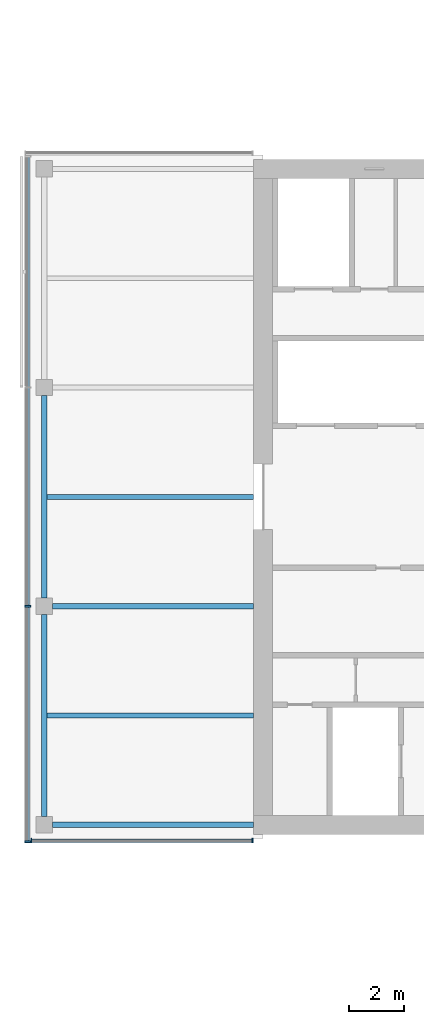
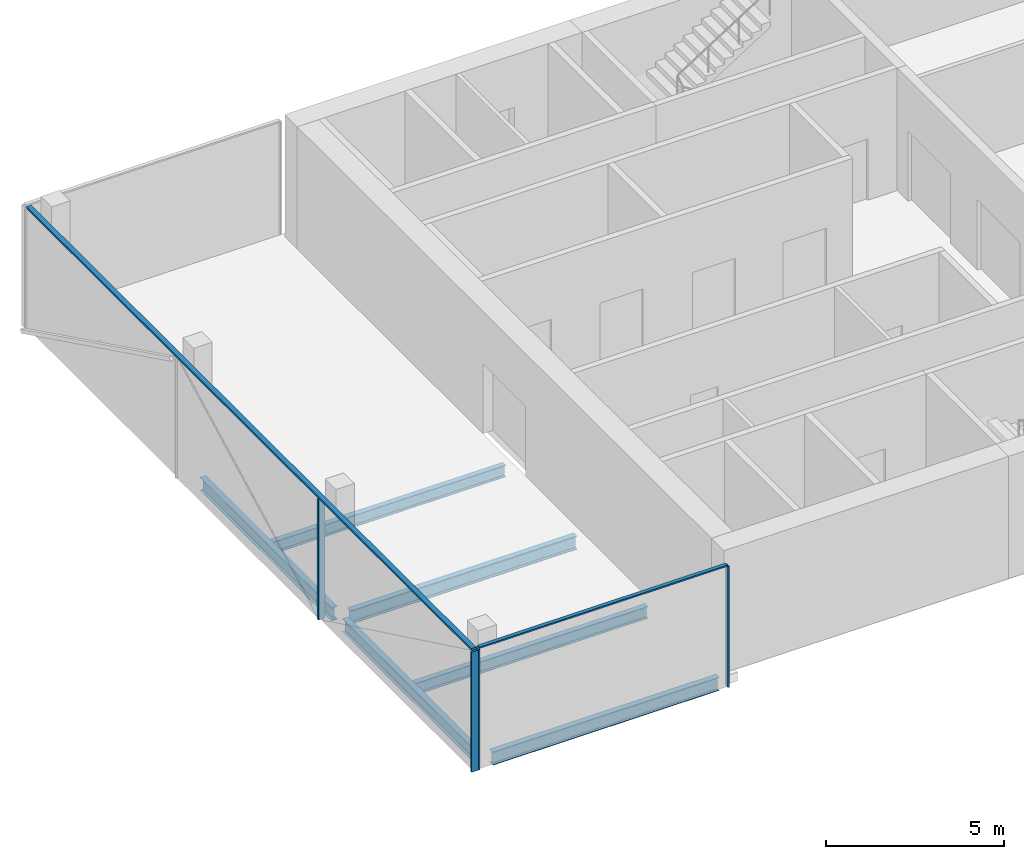
# One storey, part 3 of 22: 6 beams, 6 members, 2 elements without a shape of their own.
"""IFC4 building model written with IfcOpenShell, lengths in metres."""

from ifc_helpers import new_model, si_unit, direction, frame, origin, origin_2d, place, context, subcontext, project, spatial, rectangle, i_section, extrude, material, material_profile, profile_set, type_object, element, aggregate, save


model = new_model("IFC4")

# Units and contexts
model_context = context("Model", 3, precision=1e-05, world=origin(), true_north=direction((0.0, 1.0)))
body_context = subcontext(model_context, "Body", "Model", "MODEL_VIEW")
ifc_project = project(units=[si_unit("LENGTHUNIT", "METRE"), si_unit("AREAUNIT", "SQUARE_METRE"), si_unit("VOLUMEUNIT", "CUBIC_METRE"), si_unit("PLANEANGLEUNIT", "RADIAN"), si_unit("MASSUNIT", "GRAM", prefix="KILO")], contexts=[model_context])

# Site, building, storey
site_placement = place(None, origin())
site = spatial("IfcSite", under=ifc_project, at=site_placement, CompositionType="ELEMENT")
building_placement = place(site_placement, origin())
building = spatial("IfcBuilding", under=site, at=building_placement, Name="Crosswind Convention Tower", CompositionType="ELEMENT")
storey_placement = place(building_placement, frame((0.0, 0.0, 129.5)))
storey = spatial("IfcBuildingStorey", under=building, at=storey_placement, Name="L26", CompositionType="ELEMENT", Elevation=129.5)

# Beams
ifc_material_1 = material(Name="Steel S355", Category="steel")
ifc_material_profile_1 = material_profile(ifc_material_1, i_section(OverallWidth=0.18994140625, OverallDepth=0.45361328125, WebThickness=0.008544921875, FlangeThickness=0.0126953125, FilletRadius=0.01025390625, at=origin_2d()), Name="UB 457x191x67")
ifc_profile_set_1 = profile_set([ifc_material_profile_1], Name="Steel S355")
beam_type_1 = type_object("IfcBeamType", Name="Edge beam UB 457x191x67", PredefinedType="SPANDREL", material=ifc_profile_set_1)
for number, where, z_axis, x_axis, name in (
    (1, (89.0, 88.300048828125, -0.52685546875), (0.0, 1.0, 0.0), (-1.0, 0.0, 0.0), "B16 L26 edge beam 1"),
    (2, (89.0, 96.300048828125, -0.52685546875), (0.0, 1.0, 0.0), (-1.0, 0.0, 0.0), "B16 L26 edge beam 2"),
):
    element("IfcBeam", number, at=place(storey_placement, frame(where, z_axis=z_axis, x_axis=x_axis)), inside=storey, type_object=beam_type_1, Name=name, PredefinedType="SPANDREL", context=body_context, shape_type="SweptSolid", body=[
        extrude(i_section(OverallWidth=0.18994140625, OverallDepth=0.45361328125, WebThickness=0.008544921875, FlangeThickness=0.0126953125, FilletRadius=0.01025390625, at=origin_2d()), origin(), (0.0, 0.0, 1.0), 7.39990234375),
    ])
beam_1_placement = place(storey_placement, frame((89.300048828125, 88.0, -0.52685546875), z_axis=(1.0, 0.0, 0.0), x_axis=(0.0, 1.0, 0.0)))
element("IfcBeam", 3, at=beam_1_placement, inside=storey, type_object=beam_type_1, Name="B16 L26 edge beam 4", PredefinedType="SPANDREL", context=body_context, shape_type="SweptSolid", body=[
    extrude(i_section(OverallWidth=0.18994140625, OverallDepth=0.45361328125, WebThickness=0.008544921875, FlangeThickness=0.0126953125, FilletRadius=0.01025390625, at=origin_2d()), origin(), (0.0, 0.0, 1.0), 7.349853515625),
])
ifc_material_profile_2 = material_profile(ifc_material_1, i_section(OverallWidth=0.19189453125, OverallDepth=0.463623046875, WebThickness=0.010498046875, FlangeThickness=0.017578125, FilletRadius=0.01025390625, at=origin_2d()), Name="UB 457x191x90")
ifc_profile_set_2 = profile_set([ifc_material_profile_2], Name="Steel S355")
beam_type_2 = type_object("IfcBeamType", Name="Girder at core wall UB 457x191x90", PredefinedType="BEAM", material=ifc_profile_set_2)
beam_2_placement = place(storey_placement, frame((89.300048828125, 96.0, -0.53173828125), z_axis=(1.0, 0.0, 0.0), x_axis=(0.0, 1.0, 0.0)))
element("IfcBeam", 4, at=beam_2_placement, inside=storey, type_object=beam_type_2, Name="B24 L26 girder at core wall 1", PredefinedType="BEAM", context=body_context, shape_type="SweptSolid", body=[
    extrude(i_section(OverallWidth=0.19189453125, OverallDepth=0.463623046875, WebThickness=0.010498046875, FlangeThickness=0.017578125, FilletRadius=0.01025390625, at=origin_2d()), origin(), (0.0, 0.0, 1.0), 7.349853515625),
])

# Curtain wall, members
ifc_material_2 = material(Name="Aluminium unitised curtain wall", Category="aluminium")
curtain_wall_type_1 = type_object("IfcCurtainWallType", Name="CORE END SLOT WALL 160", PredefinedType="USERDEFINED", material=ifc_material_2)
curtain_wall_1_placement = place(storey_placement, origin())
curtain_wall_1 = element("IfcCurtainWall", 5, at=curtain_wall_1_placement, inside=storey, type_object=curtain_wall_type_1, Name="CW6 L26 W-S.1-1 slot", ObjectType="UNITISED", PredefinedType="USERDEFINED")
ifc_material_3 = material(Name="Aluminium mullion", Category="aluminium")
ifc_material_profile_3 = material_profile(ifc_material_3, rectangle(XDim=0.159912109375, YDim=0.050048828125, at=origin_2d()), Name="AL 160X50")
ifc_profile_set_3 = profile_set([ifc_material_profile_3], Name="Aluminium mullion")
member_type_1 = type_object("IfcMemberType", Name="MULLION 50X160", PredefinedType="MULLION", material=ifc_profile_set_3)
member_1_placement = place(storey_placement, frame((88.52490234375, 87.419921875, -0.300048828125), z_axis=(0.0, 0.0, 1.0), x_axis=(0.0, -1.0, 0.0)))
member_1 = element("IfcMember", 6, at=member_1_placement, type_object=member_type_1, Name="CW6 mullion 1", PredefinedType="MULLION", context=body_context, shape_type="SweptSolid", body=[
    extrude(rectangle(XDim=0.159912109375, YDim=0.050048828125, at=origin_2d()), origin(), (0.0, 0.0, 1.0), 4.150146484375),
])
member_2_placement = place(storey_placement, frame((96.625, 87.419921875, -0.300048828125), z_axis=(0.0, 0.0, 1.0), x_axis=(0.0, -1.0, 0.0)))
member_2 = element("IfcMember", 7, at=member_2_placement, type_object=member_type_1, Name="CW6 mullion 2", PredefinedType="MULLION", context=body_context, shape_type="SweptSolid", body=[
    extrude(rectangle(XDim=0.159912109375, YDim=0.050048828125, at=origin_2d()), origin(), (0.0, 0.0, 1.0), 4.150146484375),
])

curtain_wall_type_2 = type_object("IfcCurtainWallType", Name="OFFICE UNITISED WALL 220", PredefinedType="USERDEFINED", material=ifc_material_2)
curtain_wall_2_placement = place(storey_placement, origin())
curtain_wall_2 = element("IfcCurtainWall", 8, at=curtain_wall_2_placement, inside=storey, type_object=curtain_wall_type_2, Name="CW3 L26 W-TIP 1", ObjectType="UNITISED", PredefinedType="USERDEFINED")
ifc_material_profile_4 = material_profile(ifc_material_3, rectangle(XDim=0.219970703125, YDim=0.070068359375, at=origin_2d()), Name="AL 220X70")
ifc_profile_set_4 = profile_set([ifc_material_profile_4], Name="Aluminium mullion")
member_type_2 = type_object("IfcMemberType", Name="MULLION 70X220", PredefinedType="MULLION", material=ifc_profile_set_4)
member_3_placement = place(storey_placement, frame((88.389892578125, 96.0, -0.300048828125), z_axis=(0.0, 0.0, 1.0), x_axis=(-1.0, 0.0, 0.0)))
member_3 = element("IfcMember", 9, at=member_3_placement, type_object=member_type_2, Name="CW3 mullion 3", PredefinedType="MULLION", context=body_context, shape_type="SweptSolid", body=[
    extrude(rectangle(XDim=0.219970703125, YDim=0.070068359375, at=origin_2d()), origin(), (0.0, 0.0, 1.0), 4.130126953125),
])
member_4_placement = place(storey_placement, frame((88.389892578125, 87.375, -0.300048828125), z_axis=(0.0, 0.0, 1.0), x_axis=(-1.0, 0.0, 0.0)))
member_4 = element("IfcMember", 10, at=member_4_placement, type_object=member_type_2, Name="CW3 mullion 4", PredefinedType="MULLION", context=body_context, shape_type="SweptSolid", body=[
    extrude(rectangle(XDim=0.219970703125, YDim=0.070068359375, at=origin_2d()), origin(), (0.0, 0.0, 1.0), 4.130126953125),
])

# Beams
ifc_material_profile_5 = material_profile(ifc_material_1, i_section(OverallWidth=0.177734375, OverallDepth=0.406494140625, WebThickness=0.0078125, FlangeThickness=0.0126953125, FilletRadius=0.01025390625, at=origin_2d()), Name="UB 406x178x60")
ifc_profile_set_5 = profile_set([ifc_material_profile_5], Name="Steel S355")
beam_type_3 = type_object("IfcBeamType", Name="Secondary beam UB 406x178x60", PredefinedType="JOIST", material=ifc_profile_set_5)
for number, where, z_axis, x_axis, name in (
    (11, (89.094970703125, 92.0, -0.503173828125), (1.0, 0.0, 0.0), (0.0, 1.0, 0.0), "B10 L26 secondary beam 1"),
    (12, (89.094970703125, 100.0, -0.503173828125), (1.0, 0.0, 0.0), (0.0, 1.0, 0.0), "B10 L26 secondary beam 2"),
):
    element("IfcBeam", number, at=place(storey_placement, frame(where, z_axis=z_axis, x_axis=x_axis)), inside=storey, type_object=beam_type_3, Name=name, PredefinedType="JOIST", context=body_context, shape_type="SweptSolid", body=[
        extrude(i_section(OverallWidth=0.177734375, OverallDepth=0.406494140625, WebThickness=0.0078125, FlangeThickness=0.0126953125, FilletRadius=0.01025390625, at=origin_2d()), origin(), (0.0, 0.0, 1.0), 7.554931640625),
    ])

# Member
ifc_material_4 = material(Name="Aluminium transom", Category="aluminium")
ifc_material_profile_6 = material_profile(ifc_material_4, rectangle(XDim=0.1201171875, YDim=0.050048828125, at=origin_2d()), Name="AL 120X50")
ifc_profile_set_6 = profile_set([ifc_material_profile_6], Name="Aluminium transom")
member_type_3 = type_object("IfcMemberType", Name="TRANSOM 50X120", PredefinedType="USERDEFINED", material=ifc_profile_set_6)
member_5_placement = place(storey_placement, frame((88.550048828125, 87.419921875, 3.875), z_axis=(1.0, 0.0, 0.0), x_axis=(0.0, 1.0, 0.0)))
member_5 = element("IfcMember", 13, at=member_5_placement, type_object=member_type_3, Name="CW6 transom", ObjectType="TRANSOM", PredefinedType="USERDEFINED", context=body_context, shape_type="SweptSolid", body=[
    extrude(rectangle(XDim=0.1201171875, YDim=0.050048828125, at=origin_2d()), origin(), (0.0, 0.0, 1.0), 8.050048828125),
])

aggregate(curtain_wall_1, [member_1, member_2, member_5])

ifc_material_profile_7 = material_profile(ifc_material_4, rectangle(XDim=0.159912109375, YDim=0.070068359375, at=origin_2d()), Name="AL 160X70")
ifc_profile_set_7 = profile_set([ifc_material_profile_7], Name="Aluminium transom")
member_type_4 = type_object("IfcMemberType", Name="TRANSOM 70X160", PredefinedType="USERDEFINED", material=ifc_profile_set_7)
member_6_placement = place(storey_placement, frame((88.389892578125, 112.429931640625, 3.864990234375), z_axis=(0.0, -1.0, 0.0), x_axis=(1.0, 0.0, 0.0)))
member_6 = element("IfcMember", 14, at=member_6_placement, type_object=member_type_4, Name="CW3 transom", ObjectType="TRANSOM", PredefinedType="USERDEFINED", context=body_context, shape_type="SweptSolid", body=[
    extrude(rectangle(XDim=0.159912109375, YDim=0.070068359375, at=origin_2d()), origin(), (0.0, 0.0, 1.0), 25.02001953125),
])

aggregate(curtain_wall_2, [member_3, member_4, member_6])

save(model, "model.ifc")
